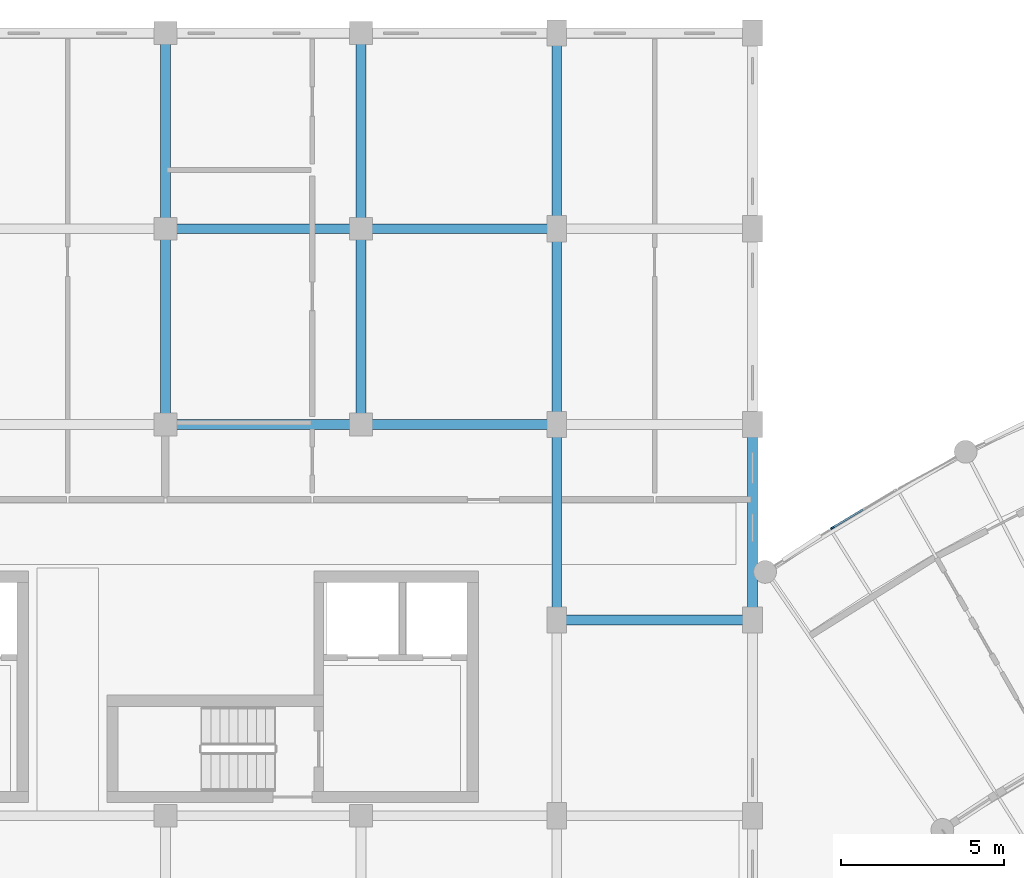
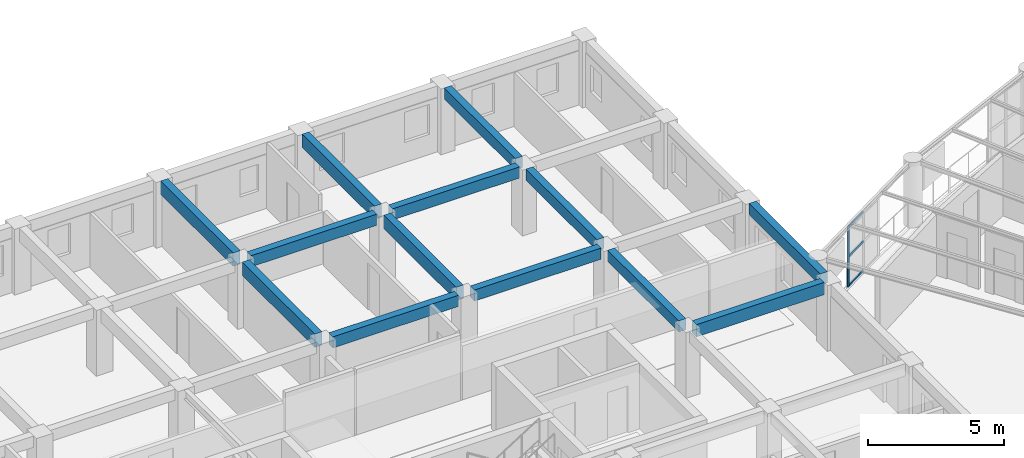
# One storey, part 51 of 137: 13 beams, 4 members, 1 element without a shape of its own.
"""IFC4 building model written with IfcOpenShell, lengths in metres."""

import ifcopenshell
import ifcopenshell.guid

model = None  # the IFC model being written
_history = None  # IfcOwnerHistory: only IFC2X3 demands one
_inside = {}  # id of a spatial element -> (the spatial element, [elements in it])
_under = {}  # id of a project, library or spatial element -> (it, [spatial elements below it])
_declared = {}  # id of a project -> (the project, [libraries it declares])
_typed = {}  # id of a type object -> (the type object, [elements of that type])
_made_of = {}  # id of a material, layer set ... -> (it, [elements and type objects made of it])


def new_model(schema):
    """Start an empty IFC model of exactly this schema.

    Asked for "IFC4X3", IfcOpenShell would pick the latest addendum, in which some entities
    have other attributes; the version numbers below select the first issue.
    IFC2X3 requires an IfcOwnerHistory on every rooted entity: one is made here for all.
    """
    global model, _history
    if schema == "IFC4X3":
        model = ifcopenshell.file(schema_version=(4, 3, 0, 0))
    else:
        model = ifcopenshell.file(schema=schema)
    _inside.clear()
    _under.clear()
    _declared.clear()
    _typed.clear()
    _made_of.clear()
    _history = None
    if model.schema == "IFC2X3":
        org = make("IfcOrganization", Name="unknown")
        user = make(
            "IfcPersonAndOrganization",
            ThePerson=make("IfcPerson", FamilyName="unknown"),
            TheOrganization=org,
        )
        app = make(
            "IfcApplication",
            ApplicationDeveloper=org,
            Version="unknown",
            ApplicationFullName="unknown",
            ApplicationIdentifier="unknown",
        )
        _history = make(
            "IfcOwnerHistory",
            OwningUser=user,
            OwningApplication=app,
            ChangeAction="ADDED",
            CreationDate=0,
        )
    return model


def make(cls, **values):
    """One entity of the class cls with the attributes given. An attribute that is None is left unset."""
    return model.create_entity(
        cls, **{name: value for name, value in values.items() if value is not None}
    )


def rooted(cls, **values):
    """An entity with a GlobalId (a new one), such as an element, a storey or a relation."""
    return make(cls, GlobalId=ifcopenshell.guid.new(), OwnerHistory=_history, **values)


def si_unit(unit_type, name, prefix=None):
    """IfcSIUnit, for example si_unit("LENGTHUNIT", "METRE", prefix="MILLI")."""
    return make("IfcSIUnit", UnitType=unit_type, Prefix=prefix, Name=name)


def assignment(units):
    """IfcUnitAssignment: the units of a project."""
    return None if units is None else make("IfcUnitAssignment", Units=units)


def point(xyz):
    """IfcCartesianPoint."""
    return None if xyz is None else make("IfcCartesianPoint", Coordinates=xyz)


def direction(xyz):
    """IfcDirection."""
    return None if xyz is None else make("IfcDirection", DirectionRatios=xyz)


def frame(location, z_axis=None, x_axis=None):
    """IfcAxis2Placement3D, a coordinate frame: its origin and axes. An axis left out is left unset."""
    return make(
        "IfcAxis2Placement3D",
        Location=point(location),
        Axis=direction(z_axis),
        RefDirection=direction(x_axis),
    )


def frame_2d(location, x_axis=None):
    """IfcAxis2Placement2D, a coordinate frame in the plane: its origin and x axis."""
    return make(
        "IfcAxis2Placement2D", Location=point(location), RefDirection=direction(x_axis)
    )


def origin():
    """The frame at (0, 0, 0) with its axes left unset."""
    return frame((0.0, 0.0, 0.0))


def origin_2d():
    """The frame at (0, 0) in the plane with its x axis left unset."""
    return frame_2d((0.0, 0.0))


def place(relative_to, where):
    """IfcLocalPlacement: puts the frame where relative to a parent placement (None: the world)."""
    return make(
        "IfcLocalPlacement", PlacementRelTo=relative_to, RelativePlacement=where
    )


def context(
    kind, dimensions, precision=None, world=None, true_north=None, identifier=None
):
    """IfcGeometricRepresentationContext, for example the 3D "Model" context."""
    return make(
        "IfcGeometricRepresentationContext",
        ContextIdentifier=identifier,
        ContextType=kind,
        CoordinateSpaceDimension=dimensions,
        Precision=precision,
        WorldCoordinateSystem=world,
        TrueNorth=true_north,
    )


def subcontext(parent, identifier, kind, view, scale=None):
    """IfcGeometricRepresentationSubContext, for example "Body" below "Model"."""
    return make(
        "IfcGeometricRepresentationSubContext",
        ContextIdentifier=identifier,
        ContextType=kind,
        ParentContext=parent,
        TargetScale=scale,
        TargetView=view,
    )


def project(units=None, contexts=None):
    """IfcProject with its units and contexts."""
    return rooted(
        "IfcProject",
        Name="project",
        RepresentationContexts=contexts,
        UnitsInContext=assignment(units),
    )


def spatial(cls, under=None, at=None, **own):
    """A site, building, storey or space (cls), placed at a placement, below another one or the project."""
    s = rooted(cls, ObjectPlacement=at, **own)
    if under is not None:
        _under.setdefault(under.id(), (under, []))[1].append(s)
    return s


def profile(cls, at=None, kind="AREA", **sizes):
    """A parametric profile (cls). Its sizes go by their IFC names, for example OverallWidth=200.0."""
    return make(cls, ProfileType=kind, Position=at, **sizes)


def rectangle(**sizes):
    """IfcRectangleProfileDef."""
    return profile("IfcRectangleProfileDef", **sizes)


def extrude(swept, where, along, depth):
    """IfcExtrudedAreaSolid: the profile swept, set in the frame where, extruded along a direction by depth."""
    return make(
        "IfcExtrudedAreaSolid",
        SweptArea=swept,
        Position=where,
        ExtrudedDirection=direction(along),
        Depth=depth,
    )


def shape(context_of_items, identifier, shape_type, items):
    """IfcShapeRepresentation: the items that make up one representation, for example the "Body"."""
    return make(
        "IfcShapeRepresentation",
        ContextOfItems=context_of_items,
        RepresentationIdentifier=identifier,
        RepresentationType=shape_type,
        Items=items,
    )


def material(Name=None, Category=None):
    """IfcMaterial."""
    return make("IfcMaterial", Name=Name, Category=Category)


def layer(
    of_material, thickness, ventilated=None, Name=None, Category=None, Priority=None
):
    """IfcMaterialLayer: one layer of a wall or slab, of a material (None: an air gap)."""
    return make(
        "IfcMaterialLayer",
        Material=of_material,
        LayerThickness=thickness,
        IsVentilated=ventilated,
        Name=Name,
        Category=Category,
        Priority=Priority,
    )


def layer_set(layers, Name=None):
    """IfcMaterialLayerSet."""
    return make("IfcMaterialLayerSet", MaterialLayers=layers, LayerSetName=Name)


def material_profile(
    of_material, cross_section, Name=None, Category=None, Priority=None
):
    """IfcMaterialProfile: a cross section and its material."""
    return make(
        "IfcMaterialProfile",
        Name=Name,
        Material=of_material,
        Profile=cross_section,
        Priority=Priority,
        Category=Category,
    )


def profile_set(profiles, Name=None, composite=None):
    """IfcMaterialProfileSet."""
    return make(
        "IfcMaterialProfileSet",
        Name=Name,
        MaterialProfiles=profiles,
        CompositeProfile=composite,
    )


def made_of(thing, what):
    """Note that an element or type object is made of a material, layer set ...; save() writes the relation."""
    if what is not None:
        _made_of.setdefault(what.id(), (what, []))[1].append(thing)
    return thing


def type_object(cls, material=None, **own):
    """A type object (cls), such as IfcWallType, which elements share."""
    return made_of(rooted(cls, **own), material)


def element(
    cls,
    number,
    at=None,
    inside=None,
    cuts=None,
    type_object=None,
    material=None,
    context=None,
    identifier="Body",
    shape_type=None,
    held_by="IfcProductDefinitionShape",
    body=None,
    shapes=None,
    **own,
):
    """One element of the class cls, such as IfcWall. Its Tag is "e" and its number.

    at: its placement. inside: the storey or other place that contains it. cuts: it is an
    opening in that element (IfcRelVoidsElement). A single representation is given by context,
    identifier, shape_type and body (its items); several are given by shapes. held_by: the class
    of the entity that holds the representations. save() writes the other relations.
    """
    e = rooted(cls, Tag="e%d" % number, ObjectPlacement=at, **own)
    if body is not None:
        shapes = [shape(context, identifier, shape_type, body)]
    if shapes is not None:
        e.Representation = make(held_by, Representations=shapes)
    if inside is not None:
        _inside.setdefault(inside.id(), (inside, []))[1].append(e)
    if cuts is not None:
        rooted(
            "IfcRelVoidsElement", RelatingBuildingElement=cuts, RelatedOpeningElement=e
        )
    if type_object is not None:
        _typed.setdefault(type_object.id(), (type_object, []))[1].append(e)
    return made_of(e, material)


def aggregate(whole, parts):
    """IfcRelAggregates: a whole, such as a stair, and the parts it consists of."""
    return rooted("IfcRelAggregates", RelatingObject=whole, RelatedObjects=parts)


def save(model, path):
    """Write the relations noted so far, then the file.

    IfcRelAggregates (storeys below a building ...), IfcRelContainedInSpatialStructure (elements
    in a storey), IfcRelDefinesByType, IfcRelAssociatesMaterial and IfcRelDeclares: one each for
    every whole, place, type object, material and project.
    """
    for whole, parts in _under.values():
        aggregate(whole, parts)
    for where, things in _inside.values():
        rooted(
            "IfcRelContainedInSpatialStructure",
            RelatedElements=things,
            RelatingStructure=where,
        )
    for kind, things in _typed.values():
        rooted("IfcRelDefinesByType", RelatedObjects=things, RelatingType=kind)
    for what, things in _made_of.values():
        rooted("IfcRelAssociatesMaterial", RelatedObjects=things, RelatingMaterial=what)
    for by, libraries in _declared.values():
        rooted("IfcRelDeclares", RelatingContext=by, RelatedDefinitions=libraries)
    model.write(path)


model = new_model("IFC4")

# Units and contexts
model_context = context("Model", 3, precision=1e-05, world=origin(), true_north=direction((0.0, 1.0)))
body_context = subcontext(model_context, "Body", "Model", "MODEL_VIEW")
ifc_project = project(units=[si_unit("LENGTHUNIT", "METRE"), si_unit("AREAUNIT", "SQUARE_METRE"), si_unit("VOLUMEUNIT", "CUBIC_METRE"), si_unit("PLANEANGLEUNIT", "RADIAN"), si_unit("MASSUNIT", "GRAM", prefix="KILO"), si_unit("POWERUNIT", "WATT"), si_unit("THERMODYNAMICTEMPERATUREUNIT", "KELVIN")], contexts=[model_context])

# Site, building, storey
site_placement = place(None, origin())
site = spatial("IfcSite", under=ifc_project, at=site_placement, CompositionType="ELEMENT")
building_placement = place(site_placement, origin())
building = spatial("IfcBuilding", under=site, at=building_placement, Name="Ruvembo Vaulted Housing Court", CompositionType="ELEMENT")
storey_placement = place(building_placement, frame((0.0, 0.0, 4.5)))
storey = spatial("IfcBuildingStorey", under=building, at=storey_placement, Name="L01", CompositionType="ELEMENT", Elevation=4.5)

# Beams
ifc_material_1 = material(Name="Concrete C35/45", Category="concrete")
ifc_material_profile_1 = material_profile(ifc_material_1, rectangle(XDim=0.300048828125, YDim=0.550048828125, at=origin_2d()), Name="RC 300x550")
ifc_profile_set_1 = profile_set([ifc_material_profile_1], Name="Concrete C35/45")
beam_type_1 = type_object("IfcBeamType", Name="BM-RC-300x550", PredefinedType="BEAM", material=ifc_profile_set_1)
beam_1_placement = place(storey_placement, frame((78.284912109375, 96.0, 2.669921875), z_axis=(1.0, 0.0, 0.0), x_axis=(0.0, 1.0, 0.0)))
element("IfcBeam", 1, at=beam_1_placement, inside=storey, type_object=beam_type_1, Name="L01 Grid Beam X #1271", PredefinedType="BEAM", context=body_context, shape_type="SweptSolid", body=[
    extrude(rectangle(XDim=0.300048828125, YDim=0.550048828125, at=origin_2d()), origin(), (0.0, 0.0, 1.0), 5.43017578125),
])
ifc_material_profile_2 = material_profile(ifc_material_1, rectangle(XDim=0.300048828125, YDim=0.60009765625, at=origin_2d()), Name="RC 300x600")
ifc_profile_set_2 = profile_set([ifc_material_profile_2], Name="Concrete C35/45")
beam_type_2 = type_object("IfcBeamType", Name="BM-RC-300x600", PredefinedType="BEAM", material=ifc_profile_set_2)
for number, where, z_axis, x_axis, name in (
    (2, (66.0, 102.3349609375, 2.64501953125), (0.0, 1.0, 0.0), (-1.0, 0.0, 0.0), "L01 Grid Beam Y #1364"),
    (3, (66.0, 108.3349609375, 2.64501953125), (0.0, 1.0, 0.0), (-1.0, 0.0, 0.0), "L01 Grid Beam Y #1365"),
    (4, (72.0, 102.3349609375, 2.64501953125), (0.0, 1.0, 0.0), (-1.0, 0.0, 0.0), "L01 Grid Beam Y #1368"),
    (5, (72.0, 108.3349609375, 2.64501953125), (0.0, 1.0, 0.0), (-1.0, 0.0, 0.0), "L01 Grid Beam Y #1369"),
):
    element("IfcBeam", number, at=place(storey_placement, frame(where, z_axis=z_axis, x_axis=x_axis)), inside=storey, type_object=beam_type_2, Name=name, PredefinedType="BEAM", context=body_context, shape_type="SweptSolid", body=[
        extrude(rectangle(XDim=0.300048828125, YDim=0.60009765625, at=origin_2d()), origin(), (0.0, 0.0, 1.0), 5.330078125),
    ])

# Curtain wall, members
ifc_material_2 = material(Name="Anodised Aluminium and Solar-Control Glass", Category="aluminium")
ifc_layer = layer(ifc_material_2, 0.1201171875, Name="Anodised Aluminium and Solar-Control Glass")
ifc_layer_set = layer_set([ifc_layer], Name="Anodised Aluminium and Solar-Control Glass")
curtain_wall_type = type_object("IfcCurtainWallType", Name="CW-SCOOP-GAL", PredefinedType="NOTDEFINED", material=ifc_layer_set)
curtain_wall_placement = place(storey_placement, origin())
curtain_wall = element("IfcCurtainWall", 6, at=curtain_wall_placement, inside=storey, type_object=curtain_wall_type, Name="L01 Curtain Wall CW-L01-0059", PredefinedType="NOTDEFINED")
ifc_material_3 = material(Name="Anodised Aluminium 6063-T6", Category="aluminium")
ifc_material_profile_3 = material_profile(ifc_material_3, rectangle(XDim=0.054931640625, YDim=0.1201171875, at=origin_2d()), Name="ALU 55x120")
ifc_profile_set_3 = profile_set([ifc_material_profile_3], Name="Anodised Aluminium 6063-T6")
member_type_1 = type_object("IfcMemberType", Name="CW-MUL-55x120", PredefinedType="MULLION", material=ifc_profile_set_3)
member_1_placement = place(storey_placement, frame((86.450927734375, 98.829833984375, 0.0), z_axis=(0.0, 0.0, 1.0), x_axis=(-0.513827980288, 0.85789323734, 0.0)))
member_1 = element("IfcMember", 7, at=member_1_placement, type_object=member_type_1, Name="CW6 mullion 1", PredefinedType="MULLION", context=body_context, shape_type="SweptSolid", body=[
    extrude(rectangle(XDim=0.054931640625, YDim=0.1201171875, at=origin_2d()), origin(), (0.0, 0.0, 1.0), 2.697998046875),
])
ifc_material_profile_4 = material_profile(ifc_material_3, rectangle(XDim=0.06005859375, YDim=0.10009765625, at=origin_2d()), Name="ALU 60x100")
ifc_profile_set_4 = profile_set([ifc_material_profile_4], Name="Anodised Aluminium 6063-T6")
member_type_2 = type_object("IfcMemberType", Name="CW-TRN-60x100", PredefinedType="USERDEFINED", material=ifc_profile_set_4)
member_2_placement = place(storey_placement, frame((86.474609375, 98.84375, 0.030029296875), z_axis=(0.85779674372, 0.513989052863, 0.0), x_axis=(-0.513989052863, 0.85779674372, 0.0)))
member_2 = element("IfcMember", 8, at=member_2_placement, type_object=member_type_2, Name="CW6 transom 1.1", ObjectType="TRANSOM", PredefinedType="USERDEFINED", context=body_context, shape_type="SweptSolid", body=[
    extrude(rectangle(XDim=0.06005859375, YDim=0.10009765625, at=origin_2d()), origin(), (0.0, 0.0, 1.0), 1.06298828125),
])
member_3_placement = place(storey_placement, frame((86.474609375, 98.84375, 1.34912109375), z_axis=(0.85779674372, 0.513989052863, 0.0), x_axis=(-0.513989052863, 0.85779674372, 0.0)))
member_3 = element("IfcMember", 9, at=member_3_placement, type_object=member_type_2, Name="CW6 transom 1.2", ObjectType="TRANSOM", PredefinedType="USERDEFINED", context=body_context, shape_type="SweptSolid", body=[
    extrude(rectangle(XDim=0.06005859375, YDim=0.10009765625, at=origin_2d()), origin(), (0.0, 0.0, 1.0), 1.06298828125),
])
member_4_placement = place(storey_placement, frame((86.474609375, 98.84375, 2.66796875), z_axis=(0.85779674372, 0.513989052863, 0.0), x_axis=(-0.513989052863, 0.85779674372, 0.0)))
member_4 = element("IfcMember", 10, at=member_4_placement, type_object=member_type_2, Name="CW6 transom 1.3", ObjectType="TRANSOM", PredefinedType="USERDEFINED", context=body_context, shape_type="SweptSolid", body=[
    extrude(rectangle(XDim=0.06005859375, YDim=0.10009765625, at=origin_2d()), origin(), (0.0, 0.0, 1.0), 1.06298828125),
])
aggregate(curtain_wall, [member_1, member_2, member_3, member_4])

# Beams
ifc_material_profile_5 = material_profile(ifc_material_1, rectangle(XDim=0.300048828125, YDim=0.5, at=origin_2d()), Name="RC 300x500")
ifc_profile_set_5 = profile_set([ifc_material_profile_5], Name="Concrete C35/45")
beam_type_3 = type_object("IfcBeamType", Name="SP-RC-300x500", PredefinedType="SPANDREL", material=ifc_profile_set_5)
beam_2_placement = place(storey_placement, frame((66.3349609375, 102.0, 2.695068359375), z_axis=(1.0, 0.0, 0.0), x_axis=(0.0, 1.0, 0.0)))
element("IfcBeam", 11, at=beam_2_placement, inside=storey, type_object=beam_type_3, Name="L01 Grid Beam X #1281", PredefinedType="SPANDREL", context=body_context, shape_type="SweptSolid", body=[
    extrude(rectangle(XDim=0.300048828125, YDim=0.5, at=origin_2d()), origin(), (0.0, 0.0, 1.0), 5.330078125),
])
beam_3_placement = place(storey_placement, frame((72.3349609375, 102.0, 2.695068359375), z_axis=(1.0, 0.0, 0.0), x_axis=(0.0, 1.0, 0.0)))
element("IfcBeam", 12, at=beam_3_placement, inside=storey, type_object=beam_type_3, Name="L01 Grid Beam X #1282", PredefinedType="SPANDREL", context=body_context, shape_type="SweptSolid", body=[
    extrude(rectangle(XDim=0.300048828125, YDim=0.5, at=origin_2d()), origin(), (0.0, 0.0, 1.0), 5.380126953125),
])
beam_4_placement = place(storey_placement, frame((66.3349609375, 108.0, 2.695068359375), z_axis=(1.0, 0.0, 0.0), x_axis=(0.0, 1.0, 0.0)))
element("IfcBeam", 13, at=beam_4_placement, inside=storey, type_object=beam_type_3, Name="L01 Grid Beam X #1293", PredefinedType="SPANDREL", context=body_context, shape_type="SweptSolid", body=[
    extrude(rectangle(XDim=0.300048828125, YDim=0.5, at=origin_2d()), origin(), (0.0, 0.0, 1.0), 5.330078125),
])
beam_5_placement = place(storey_placement, frame((72.3349609375, 108.0, 2.695068359375), z_axis=(1.0, 0.0, 0.0), x_axis=(0.0, 1.0, 0.0)))
element("IfcBeam", 14, at=beam_5_placement, inside=storey, type_object=beam_type_3, Name="L01 Grid Beam X #1294", PredefinedType="SPANDREL", context=body_context, shape_type="SweptSolid", body=[
    extrude(rectangle(XDim=0.300048828125, YDim=0.5, at=origin_2d()), origin(), (0.0, 0.0, 1.0), 5.380126953125),
])
for number, where, z_axis, x_axis, name in (
    (15, (78.0, 96.385009765625, 2.695068359375), (0.0, 1.0, 0.0), (-1.0, 0.0, 0.0), "L01 Grid Beam Y #1373"),
    (16, (78.0, 102.385009765625, 2.695068359375), (0.0, 1.0, 0.0), (-1.0, 0.0, 0.0), "L01 Grid Beam Y #1374"),
    (17, (78.0, 108.385009765625, 2.695068359375), (0.0, 1.0, 0.0), (-1.0, 0.0, 0.0), "L01 Grid Beam Y #1375"),
    (18, (84.0, 96.385009765625, 2.695068359375), (0.0, 1.0, 0.0), (-1.0, 0.0, 0.0), "L01 Grid Beam Y #1379"),
):
    element("IfcBeam", number, at=place(storey_placement, frame(where, z_axis=z_axis, x_axis=x_axis)), inside=storey, type_object=beam_type_3, Name=name, PredefinedType="SPANDREL", context=body_context, shape_type="SweptSolid", body=[
        extrude(rectangle(XDim=0.300048828125, YDim=0.5, at=origin_2d()), origin(), (0.0, 0.0, 1.0), 5.22998046875),
    ])

save(model, "model.ifc")
